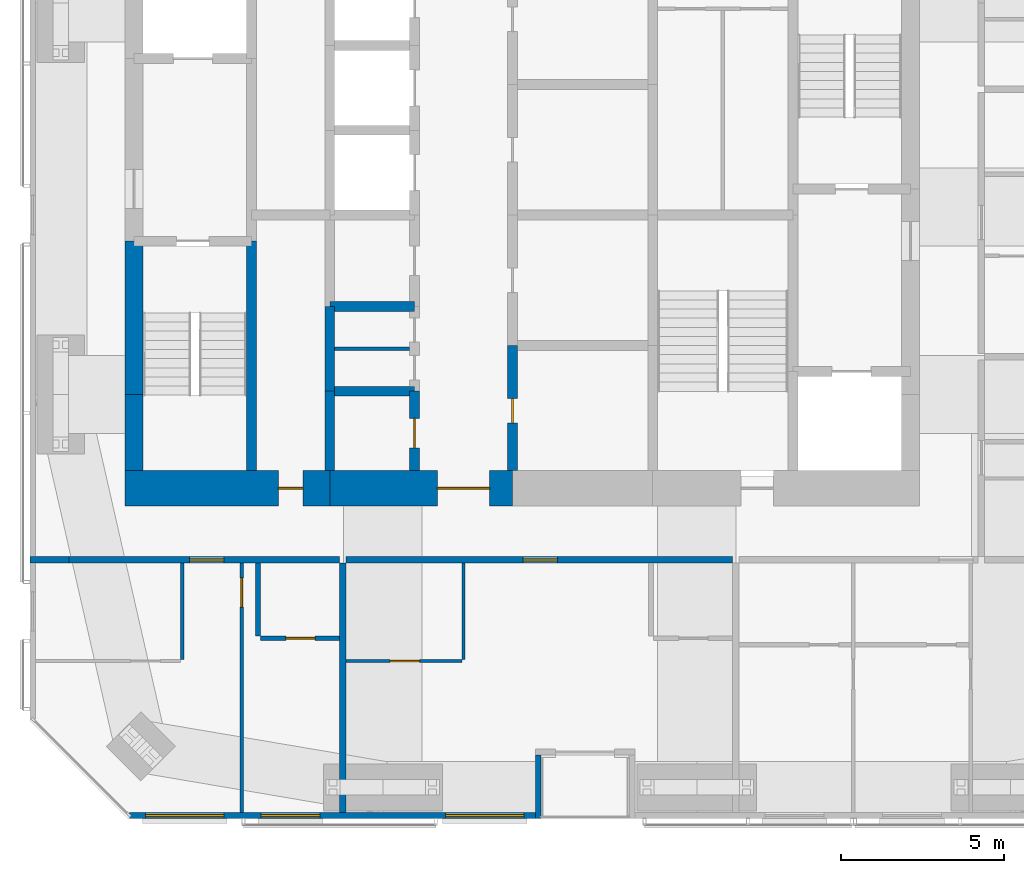
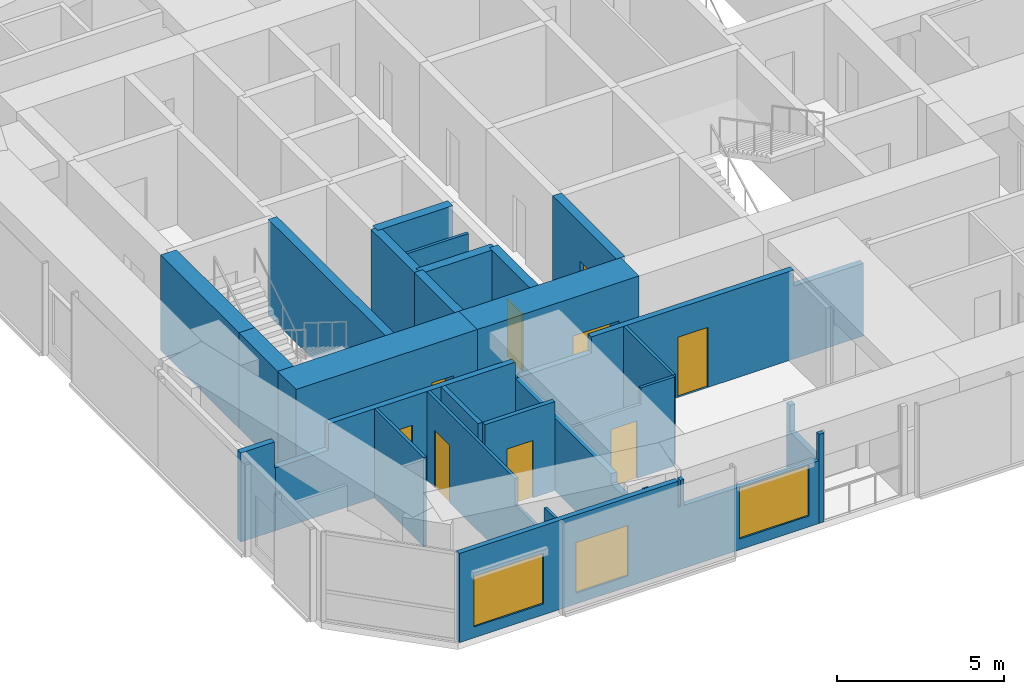
# One storey, part 13 of 19: 24 walls, 9 doors, 3 windows, 12 openings.
"""IFC4 building model written with IfcOpenShell, lengths in metres."""

from ifc_helpers import new_model, si_unit, direction, frame, frame_2d, origin, place, context, subcontext, project, spatial, polyline, rectangle, outline, extrude, material, layer, layer_set, constituent, constituent_set, type_object, element, fill, save


model = new_model("IFC4")

# Units and contexts
model_context = context("Model", 3, precision=1e-05, world=origin(), true_north=direction((0.0, 1.0)))
body_context = subcontext(model_context, "Body", "Model", "MODEL_VIEW")
ifc_project = project(units=[si_unit("LENGTHUNIT", "METRE"), si_unit("AREAUNIT", "SQUARE_METRE"), si_unit("VOLUMEUNIT", "CUBIC_METRE"), si_unit("PLANEANGLEUNIT", "RADIAN"), si_unit("MASSUNIT", "GRAM", prefix="KILO")], contexts=[model_context])

# Site, building, storey
site_placement = place(None, origin())
site = spatial("IfcSite", under=ifc_project, at=site_placement, CompositionType="ELEMENT")
building_placement = place(site_placement, origin())
building = spatial("IfcBuilding", under=site, at=building_placement, Name="Jalousie Tower", CompositionType="ELEMENT")
storey_placement = place(building_placement, frame((0.0, 0.0, 224.949951171875)))
storey = spatial("IfcBuildingStorey", under=building, at=storey_placement, Name="L61", CompositionType="ELEMENT", Elevation=224.949951171875)

# Wall, opening, door
ifc_material_1 = material(Name="Concrete block ASTM C90", Category="concrete")
ifc_constituent_1 = constituent(ifc_material_1, Name="Body")
ifc_material_2 = material(Name="Render")
ifc_constituent_2 = constituent(ifc_material_2, Name="Finish")
ifc_constituent_set_1 = constituent_set(constituents=[ifc_constituent_1, ifc_constituent_2])
wall_type_1 = type_object("IfcWallType", Name="BATHROOM WALL 150", PredefinedType="PLUMBINGWALL", material=ifc_constituent_set_1)
wall_1_placement = place(storey_placement, frame((23.875, 5.52490234375, 0.0), z_axis=(0.0, 0.0, 1.0), x_axis=(1.0, 0.0, 0.0)))
wall_1 = element("IfcWall", 1, at=wall_1_placement, inside=storey, type_object=wall_type_1, Name="Bathroom Wall 150 L61", PredefinedType="PLUMBINGWALL", context=body_context, shape_type="SweptSolid", body=[
    extrude(rectangle(XDim=2.425048828125, YDim=0.14990234375, at=frame_2d((1.21240234375, 0.0))), origin(), (0.0, 0.0, 1.0), 3.260009765625),
])
opening_1_placement = place(wall_1_placement, frame((0.77490234375, 0.0, 0.0)))
opening_1 = element("IfcOpeningElement", 2, at=opening_1_placement, cuts=wall_1, Name="Opening D3", PredefinedType="OPENING", context=body_context, shape_type="SweptSolid", body=[
    extrude(rectangle(XDim=0.89990234375, YDim=2.10009765625, at=frame_2d((0.449951171875, 1.050048828125))), frame((0.0, 0.0849609375, 0.0), z_axis=(0.0, -1.0, 0.0), x_axis=(1.0, 0.0, 0.0)), (0.0, 0.0, 1.0), 0.169921875),
])
ifc_material_3 = material(Name="Timber door", Category="wood")
door_type_1 = type_object("IfcDoorType", Name="BATHROOM DOOR 900", OperationType="SINGLE_SWING_LEFT", PredefinedType="DOOR", material=ifc_material_3)
door_1_placement = place(opening_1_placement, origin())
door_1 = element("IfcDoor", 3, at=door_1_placement, inside=storey, type_object=door_type_1, Name="Apartment 6101 bathroom door", OperationType="SINGLE_SWING_RIGHT", OverallHeight=2.10009765625, OverallWidth=0.89990234375, PredefinedType="DOOR", context=body_context, shape_type="SweptSolid", body=[
    extrude(rectangle(XDim=0.89990234375, YDim=2.10009765625, at=frame_2d((0.449951171875, 1.050048828125))), frame((0.0, 0.02490234375, 0.0), z_axis=(0.0, -1.0, 0.0), x_axis=(1.0, 0.0, 0.0)), (0.0, 0.0, 1.0), 0.050048828125),
])
fill(opening_1, door_1)

# Wall
wall_2_placement = place(storey_placement, frame((23.800048828125, 5.60009765625, 0.0), z_axis=(0.0, 0.0, 1.0), x_axis=(0.0, 1.0, 0.0)))
element("IfcWall", 4, at=wall_2_placement, inside=storey, type_object=wall_type_1, Name="Bathroom Wall 150 L61", PredefinedType="PLUMBINGWALL", context=body_context, shape_type="SweptSolid", body=[
    extrude(rectangle(XDim=2.224853515625, YDim=0.14990234375, at=frame_2d((1.1123046875, 0.0))), origin(), (0.0, 0.0, 1.0), 3.260009765625),
])

# Wall, opening, door
ifc_material_4 = material(Name="Concrete f'c 120 MPa", Category="concrete")
ifc_layer_1 = layer(ifc_material_4, 1.10009765625)
ifc_layer_set_1 = layer_set([ifc_layer_1], Name="Concrete f'c 120 MPa")
wall_type_2 = type_object("IfcWallType", Name="CORE WALL 1100", PredefinedType="SHEAR", material=ifc_layer_set_1)
wall_3_placement = place(storey_placement, frame((19.72509765625, 10.125, 0.0), z_axis=(0.0, 0.0, 1.0), x_axis=(1.0, 0.0, 0.0)))
wall_3 = element("IfcWall", 5, at=wall_3_placement, inside=storey, type_object=wall_type_2, Name="Core wall SA L61", PredefinedType="SHEAR", context=body_context, shape_type="SweptSolid", body=[
    extrude(rectangle(XDim=6.27490234375, YDim=1.10009765625, at=frame_2d((3.137451171875, 0.0))), origin(), (0.0, 0.0, 1.0), 3.5),
])
opening_2_placement = place(wall_3_placement, frame((4.699951171875, 0.0, 0.0)))
opening_2 = element("IfcOpeningElement", 6, at=opening_2_placement, cuts=wall_3, Name="Opening D16", PredefinedType="OPENING", context=body_context, shape_type="SweptSolid", body=[
    extrude(rectangle(XDim=0.75, YDim=2.10009765625, at=frame_2d((0.375, 1.050048828125))), frame((0.0, 0.56005859375, 0.0), z_axis=(0.0, -1.0, 0.0), x_axis=(1.0, 0.0, 0.0)), (0.0, 0.0, 1.0), 1.1201171875),
])
ifc_material_5 = material(Name="Steel fire door", Category="steel")
door_type_2 = type_object("IfcDoorType", Name="RISER DOOR 750", OperationType="SINGLE_SWING_LEFT", PredefinedType="DOOR", material=ifc_material_5)
door_2_placement = place(opening_2_placement, origin())
door_2 = element("IfcDoor", 7, at=door_2_placement, inside=storey, type_object=door_type_2, Name="South riser door", OperationType="SINGLE_SWING_RIGHT", OverallHeight=2.10009765625, OverallWidth=0.75, PredefinedType="DOOR", context=body_context, shape_type="SweptSolid", body=[
    extrude(rectangle(XDim=0.75, YDim=2.10009765625, at=frame_2d((0.375, 1.050048828125))), frame((0.0, 0.02490234375, 0.0), z_axis=(0.0, -1.0, 0.0), x_axis=(1.0, 0.0, 0.0)), (0.0, 0.0, 1.0), 0.050048828125),
])
fill(opening_2, door_2)

wall_4_placement = place(storey_placement, frame((26.0, 10.125, 0.0), z_axis=(0.0, 0.0, 1.0), x_axis=(1.0, 0.0, 0.0)))
wall_4 = element("IfcWall", 8, at=wall_4_placement, inside=storey, type_object=wall_type_2, Name="Core wall SB L61", PredefinedType="SHEAR", context=body_context, shape_type="SweptSolid", body=[
    extrude(rectangle(XDim=5.60009765625, YDim=1.10009765625, at=frame_2d((2.800048828125, 0.0))), origin(), (0.0, 0.0, 1.0), 3.5),
])
opening_3_placement = place(wall_4_placement, frame((3.300048828125, 0.0, 0.0)))
opening_3 = element("IfcOpeningElement", 9, at=opening_3_placement, cuts=wall_4, Name="Opening D15", PredefinedType="OPENING", context=body_context, shape_type="SweptSolid", body=[
    extrude(rectangle(XDim=1.60009765625, YDim=2.10009765625, at=frame_2d((0.800048828125, 1.050048828125))), frame((0.0, 0.56005859375, 0.0), z_axis=(0.0, -1.0, 0.0), x_axis=(1.0, 0.0, 0.0)), (0.0, 0.0, 1.0), 1.1201171875),
])
ifc_material_6 = material(Name="Steel fire door", Category="steel")
door_type_3 = type_object("IfcDoorType", Name="LIFT LOBBY DOOR 1600", OperationType="DOUBLE_DOOR_SINGLE_SWING", PredefinedType="DOOR", material=ifc_material_6)
door_3_placement = place(opening_3_placement, origin())
door_3 = element("IfcDoor", 10, at=door_3_placement, inside=storey, type_object=door_type_3, Name="Lift lobby south door", OperationType="DOUBLE_DOOR_SINGLE_SWING", OverallHeight=2.10009765625, OverallWidth=1.60009765625, PredefinedType="DOOR", context=body_context, shape_type="SweptSolid", body=[
    extrude(rectangle(XDim=1.60009765625, YDim=2.10009765625, at=frame_2d((0.800048828125, 1.050048828125))), frame((0.0, 0.02490234375, 0.0), z_axis=(0.0, -1.0, 0.0), x_axis=(1.0, 0.0, 0.0)), (0.0, 0.0, 1.0), 0.050048828125),
])
fill(opening_3, door_3)

# Walls
ifc_material_7 = material(Name="Concrete f'c 120 MPa", Category="concrete")
ifc_layer_2 = layer(ifc_material_7, 0.300048828125)
ifc_layer_set_2 = layer_set([ifc_layer_2], Name="Concrete f'c 120 MPa")
wall_type_3 = type_object("IfcWallType", Name="CORE WALL 300", PredefinedType="SHEAR", material=ifc_layer_set_2)
wall_5_placement = place(storey_placement, frame((23.60009765625, 10.675048828125, 0.0), z_axis=(0.0, 0.0, 1.0), x_axis=(0.0, 1.0, 0.0)))
element("IfcWall", 11, at=wall_5_placement, inside=storey, type_object=wall_type_3, Name="Core wall X23.6A L61", PredefinedType="SHEAR", context=body_context, shape_type="SweptSolid", body=[
    extrude(rectangle(XDim=7.02490234375, YDim=0.300048828125, at=frame_2d((3.512451171875, 0.0))), origin(), (0.0, 0.0, 1.0), 3.5),
])
wall_6_placement = place(storey_placement, frame((26.0, 10.675048828125, 0.0), z_axis=(0.0, 0.0, 1.0), x_axis=(0.0, 1.0, 0.0)))
element("IfcWall", 12, at=wall_6_placement, inside=storey, type_object=wall_type_3, Name="Core wall X26A L61", PredefinedType="SHEAR", context=body_context, shape_type="SweptSolid", body=[
    extrude(rectangle(XDim=2.425048828125, YDim=0.300048828125, at=frame_2d((1.21240234375, 0.0))), origin(), (0.0, 0.0, 1.0), 3.5),
])
wall_7_placement = place(storey_placement, frame((26.0, 13.10009765625, 0.0), z_axis=(0.0, 0.0, 1.0), x_axis=(0.0, 1.0, 0.0)))
element("IfcWall", 13, at=wall_7_placement, inside=storey, type_object=wall_type_3, Name="Core wall X26B L61", PredefinedType="SHEAR", context=body_context, shape_type="SweptSolid", body=[
    extrude(rectangle(XDim=2.599853515625, YDim=0.300048828125, at=frame_2d((1.2998046875, 0.0))), origin(), (0.0, 0.0, 1.0), 3.5),
])

# Wall, opening, door
wall_8_placement = place(storey_placement, frame((28.60009765625, 10.675048828125, 0.0), z_axis=(0.0, 0.0, 1.0), x_axis=(0.0, 1.0, 0.0)))
wall_8 = element("IfcWall", 14, at=wall_8_placement, inside=storey, type_object=wall_type_3, Name="Core wall X28.6A L61", PredefinedType="SHEAR", context=body_context, shape_type="SweptSolid", body=[
    extrude(rectangle(XDim=2.425048828125, YDim=0.300048828125, at=frame_2d((1.21240234375, 0.0))), origin(), (0.0, 0.0, 1.0), 3.5),
])
opening_4_placement = place(wall_8_placement, frame((0.6875, 0.0, 0.0)))
opening_4 = element("IfcOpeningElement", 15, at=opening_4_placement, cuts=wall_8, Name="Opening D24", PredefinedType="OPENING", context=body_context, shape_type="SweptSolid", body=[
    extrude(rectangle(XDim=0.89990234375, YDim=2.10009765625, at=frame_2d((0.449951171875, 1.050048828125))), frame((0.0, 0.159912109375, 0.0), z_axis=(0.0, -1.0, 0.0), x_axis=(1.0, 0.0, 0.0)), (0.0, 0.0, 1.0), 0.320068359375),
])
ifc_material_8 = material(Name="Steel fire door", Category="steel")
door_type_4 = type_object("IfcDoorType", Name="CORE ROOM DOOR 900", OperationType="SINGLE_SWING_LEFT", PredefinedType="DOOR", material=ifc_material_8)
door_4_placement = place(opening_4_placement, origin())
door_4 = element("IfcDoor", 16, at=door_4_placement, inside=storey, type_object=door_type_4, Name="Housekeeping store door", OperationType="SINGLE_SWING_RIGHT", OverallHeight=2.10009765625, OverallWidth=0.89990234375, PredefinedType="DOOR", context=body_context, shape_type="SweptSolid", body=[
    extrude(rectangle(XDim=0.89990234375, YDim=2.10009765625, at=frame_2d((0.449951171875, 1.050048828125))), frame((0.0, 0.02490234375, 0.0), z_axis=(0.0, -1.0, 0.0), x_axis=(1.0, 0.0, 0.0)), (0.0, 0.0, 1.0), 0.050048828125),
])
fill(opening_4, door_4)

wall_9_placement = place(storey_placement, frame((31.60009765625, 10.675048828125, 0.0), z_axis=(0.0, 0.0, 1.0), x_axis=(0.0, 1.0, 0.0)))
wall_9 = element("IfcWall", 17, at=wall_9_placement, inside=storey, type_object=wall_type_3, Name="Core wall X31.6A L61", PredefinedType="SHEAR", context=body_context, shape_type="SweptSolid", body=[
    extrude(rectangle(XDim=3.824951171875, YDim=0.300048828125, at=frame_2d((1.91259765625, 0.0))), origin(), (0.0, 0.0, 1.0), 3.5),
])
opening_5_placement = place(wall_9_placement, frame((1.449951171875, 0.0, 0.0)))
opening_5 = element("IfcOpeningElement", 18, at=opening_5_placement, cuts=wall_9, Name="Opening D16", PredefinedType="OPENING", context=body_context, shape_type="SweptSolid", body=[
    extrude(rectangle(XDim=0.75, YDim=2.10009765625, at=frame_2d((0.375, 1.050048828125))), frame((0.0, 0.159912109375, 0.0), z_axis=(0.0, -1.0, 0.0), x_axis=(1.0, 0.0, 0.0)), (0.0, 0.0, 1.0), 0.320068359375),
])
door_5_placement = place(opening_5_placement, frame((0.75, 0.0, 0.0), z_axis=(0.0, 0.0, 1.0), x_axis=(-1.0, 0.0, 0.0)))
door_5 = element("IfcDoor", 19, at=door_5_placement, inside=storey, type_object=door_type_2, Name="Refuse Room door", OperationType="SINGLE_SWING_RIGHT", OverallHeight=2.10009765625, OverallWidth=0.75, PredefinedType="DOOR", context=body_context, shape_type="SweptSolid", body=[
    extrude(rectangle(XDim=0.75, YDim=2.10009765625, at=frame_2d((0.375, 1.050048828125))), frame((0.0, 0.02490234375, 0.0), z_axis=(0.0, -1.0, 0.0), x_axis=(1.0, 0.0, 0.0)), (0.0, 0.0, 1.0), 0.050048828125),
])
fill(opening_5, door_5)

# Walls
for number, where, z_axis, x_axis, name in (
    (20, (26.0, 13.10009765625, 0.0), (0.0, 0.0, 1.0), (1.0, 0.0, 0.0), "Core wall Y26-13.1 L61"),
    (21, (26.0, 15.699951171875, 0.0), (0.0, 0.0, 1.0), (1.0, 0.0, 0.0), "Core wall Y26-15.7 L61"),
):
    element("IfcWall", number, at=place(storey_placement, frame(where, z_axis=z_axis, x_axis=x_axis)), inside=storey, type_object=wall_type_3, Name=name, PredefinedType="SHEAR", context=body_context, shape_type="SweptSolid", body=[
        extrude(rectangle(XDim=2.60009765625, YDim=0.300048828125, at=frame_2d((1.300048828125, 0.0))), origin(), (0.0, 0.0, 1.0), 3.5),
    ])
ifc_material_9 = material(Name="Concrete f'c 120 MPa", Category="concrete")
ifc_layer_3 = layer(ifc_material_9, 0.550048828125)
ifc_layer_set_3 = layer_set([ifc_layer_3], Name="Concrete f'c 120 MPa")
wall_type_4 = type_object("IfcWallType", Name="CORE WALL 550", PredefinedType="SHEAR", material=ifc_layer_set_3)
wall_10_placement = place(storey_placement, frame((20.0, 17.699951171875, 0.0), z_axis=(0.0, 0.0, 1.0), x_axis=(0.0, -1.0, 0.0)))
element("IfcWall", 22, at=wall_10_placement, inside=storey, type_object=wall_type_4, Name="Core wall WC L61", PredefinedType="SHEAR", context=body_context, shape_type="SweptSolid", body=[
    extrude(rectangle(XDim=4.699951171875, YDim=0.550048828125, at=frame_2d((2.35009765625, 0.0))), origin(), (0.0, 0.0, 1.0), 3.5),
])
wall_11_placement = place(storey_placement, frame((20.0, 13.0, 0.0), z_axis=(0.0, 0.0, 1.0), x_axis=(0.0, -1.0, 0.0)))
element("IfcWall", 23, at=wall_11_placement, inside=storey, type_object=wall_type_4, Name="Core wall WD L61", PredefinedType="SHEAR", context=body_context, shape_type="SweptSolid", body=[
    extrude(rectangle(XDim=2.324951171875, YDim=0.550048828125, at=frame_2d((1.16259765625, 0.0))), origin(), (0.0, 0.0, 1.0), 3.5),
])

# Wall, opening, door
ifc_material_10 = material(Name="Concrete block ASTM C90", Category="concrete")
ifc_constituent_3 = constituent(ifc_material_10, Name="Body")
ifc_material_11 = material(Name="Render")
ifc_constituent_4 = constituent(ifc_material_11, Name="Finish")
ifc_constituent_set_2 = constituent_set(constituents=[ifc_constituent_3, ifc_constituent_4])
wall_type_5 = type_object("IfcWallType", Name="CORRIDOR WALL 200", PredefinedType="PARTITIONING", material=ifc_constituent_set_2)
wall_12_placement = place(storey_placement, frame((18.0, 7.925048828125, 0.0), z_axis=(0.0, 0.0, 1.0), x_axis=(1.0, 0.0, 0.0)))
wall_12 = element("IfcWall", 24, at=wall_12_placement, inside=storey, type_object=wall_type_5, Name="Corridor Wall 200 L61", PredefinedType="PARTITIONING", context=body_context, shape_type="SweptSolid", body=[
    extrude(outline(polyline([(0.0, 0.0), (8.300048828125, 0.0), (8.300048828125, 3.260009765625), (1.838623046875, 3.260009765625), (1.838623046875, 2.300048828125), (0.0, 2.300048828125), (0.0, 3.260009765625), (0.0, 0.0)])), frame((0.0, 0.10009765625, 0.0), z_axis=(0.0, -1.0, 0.0), x_axis=(1.0, 0.0, 0.0)), (0.0, 0.0, 1.0), 0.199951171875),
])
opening_6_placement = place(wall_12_placement, frame((3.699951171875, 0.0, 0.0)))
opening_6 = element("IfcOpeningElement", 25, at=opening_6_placement, cuts=wall_12, Name="Opening D1", PredefinedType="OPENING", context=body_context, shape_type="SweptSolid", body=[
    extrude(rectangle(XDim=1.050048828125, YDim=2.199951171875, at=frame_2d((0.52490234375, 1.10009765625))), frame((0.0, 0.10986328125, 0.0), z_axis=(0.0, -1.0, 0.0), x_axis=(1.0, 0.0, 0.0)), (0.0, 0.0, 1.0), 0.219970703125),
])
ifc_material_12 = material(Name="Timber fire door", Category="wood")
door_type_5 = type_object("IfcDoorType", Name="APARTMENT ENTRANCE DOOR 1050", OperationType="SINGLE_SWING_LEFT", PredefinedType="DOOR", material=ifc_material_12)
door_6_placement = place(opening_6_placement, frame((1.050048828125, 0.0, 0.0), z_axis=(0.0, 0.0, 1.0), x_axis=(-1.0, 0.0, 0.0)))
door_6 = element("IfcDoor", 26, at=door_6_placement, inside=storey, type_object=door_type_5, Name="Apartment 6101 entrance", OperationType="SINGLE_SWING_RIGHT", OverallHeight=2.199951171875, OverallWidth=1.050048828125, PredefinedType="DOOR", context=body_context, shape_type="SweptSolid", body=[
    extrude(rectangle(XDim=1.050048828125, YDim=2.199951171875, at=frame_2d((0.52490234375, 1.10009765625))), frame((0.0, 0.02490234375, 0.0), z_axis=(0.0, -1.0, 0.0), x_axis=(1.0, 0.0, 0.0)), (0.0, 0.0, 1.0), 0.050048828125),
])
fill(opening_6, door_6)

wall_13_placement = place(storey_placement, frame((26.5, 7.925048828125, 0.0), z_axis=(0.0, 0.0, 1.0), x_axis=(1.0, 0.0, 0.0)))
wall_13 = element("IfcWall", 27, at=wall_13_placement, inside=storey, type_object=wall_type_5, Name="Corridor Wall 200 L61", PredefinedType="PARTITIONING", context=body_context, shape_type="SweptSolid", body=[
    extrude(outline(polyline([(0.0, 0.0), (11.85009765625, 0.0), (11.85009765625, 3.260009765625), (11.85009765625, 2.66015625), (9.43994140625, 2.66015625), (9.43994140625, 3.260009765625), (2.43505859375, 3.260009765625), (2.43505859375, 2.66015625), (0.0, 2.66015625), (0.0, 3.260009765625), (0.0, 0.0)])), frame((0.0, 0.10009765625, 0.0), z_axis=(0.0, -1.0, 0.0), x_axis=(1.0, 0.0, 0.0)), (0.0, 0.0, 1.0), 0.199951171875),
])
opening_7_placement = place(wall_13_placement, frame((5.425048828125, 0.0, 0.0)))
opening_7 = element("IfcOpeningElement", 28, at=opening_7_placement, cuts=wall_13, Name="Opening D1", PredefinedType="OPENING", context=body_context, shape_type="SweptSolid", body=[
    extrude(rectangle(XDim=1.050048828125, YDim=2.199951171875, at=frame_2d((0.52490234375, 1.10009765625))), frame((0.0, 0.10986328125, 0.0), z_axis=(0.0, -1.0, 0.0), x_axis=(1.0, 0.0, 0.0)), (0.0, 0.0, 1.0), 0.219970703125),
])
door_7_placement = place(opening_7_placement, frame((1.050048828125, 0.0, 0.0), z_axis=(0.0, 0.0, 1.0), x_axis=(-1.0, 0.0, 0.0)))
door_7 = element("IfcDoor", 29, at=door_7_placement, inside=storey, type_object=door_type_5, Name="Apartment 6102 entrance", OperationType="SINGLE_SWING_RIGHT", OverallHeight=2.199951171875, OverallWidth=1.050048828125, PredefinedType="DOOR", context=body_context, shape_type="SweptSolid", body=[
    extrude(rectangle(XDim=1.050048828125, YDim=2.199951171875, at=frame_2d((0.52490234375, 1.10009765625))), frame((0.0, 0.02490234375, 0.0), z_axis=(0.0, -1.0, 0.0), x_axis=(1.0, 0.0, 0.0)), (0.0, 0.0, 1.0), 0.050048828125),
])
fill(opening_7, door_7)

# Wall, openings, windows
ifc_material_13 = material(Name="Concrete f'c 40 MPa", Category="concrete")
ifc_constituent_5 = constituent(ifc_material_13, Name="Body")
ifc_material_14 = material(Name="Render, pastel sky blue")
ifc_constituent_6 = constituent(ifc_material_14, Name="Finish")
ifc_constituent_set_3 = constituent_set(constituents=[ifc_constituent_5, ifc_constituent_6])
wall_type_6 = type_object("IfcWallType", Name="EXTERNAL WALL 175 SKY BLUE RENDER", PredefinedType="SOLIDWALL", material=ifc_constituent_set_3)
wall_14_placement = place(storey_placement, frame((19.851318359375, 0.08740234375, 0.0), z_axis=(0.0, 0.0, 1.0), x_axis=(1.0, 0.0, 0.0)))
wall_14 = element("IfcWall", 30, at=wall_14_placement, inside=storey, type_object=wall_type_6, Name="External Wall 175 Sky Blue Render L61", PredefinedType="SOLIDWALL", context=body_context, shape_type="SweptSolid", body=[
    extrude(outline(polyline([(0.0, 0.0), (12.44873046875, 0.0), (12.44873046875, 2.300048828125), (7.773681640625, 2.300048828125), (7.773681640625, 3.260009765625), (7.642333984375, 3.260009765625), (7.642333984375, 2.300048828125), (7.558837890625, 2.300048828125), (7.558837890625, 3.260009765625), (0.0, 3.260009765625), (0.0, 0.0)])), frame((0.0, 0.08740234375, 0.0), z_axis=(0.0, -1.0, 0.0), x_axis=(1.0, 0.0, 0.0)), (0.0, 0.0, 1.0), 0.175048828125),
])
opening_8_placement = place(wall_14_placement, frame((0.49951171875, 0.0, 0.39990234375)))
opening_8 = element("IfcOpeningElement", 31, at=opening_8_placement, cuts=wall_14, Name="Opening W-LIV185", PredefinedType="OPENING", context=body_context, shape_type="SweptSolid", body=[
    extrude(rectangle(XDim=2.39990234375, YDim=1.85009765625, at=frame_2d((1.199951171875, 0.925048828125))), frame((0.0, 0.097412109375, 0.0), z_axis=(0.0, -1.0, 0.0), x_axis=(1.0, 0.0, 0.0)), (0.0, 0.0, 1.0), 0.195068359375),
])
opening_9_placement = place(wall_14_placement, frame((4.0400390625, 0.0, 0.39990234375)))
opening_9 = element("IfcOpeningElement", 32, at=opening_9_placement, cuts=wall_14, Name="Opening W-BED185", PredefinedType="OPENING", context=body_context, shape_type="SweptSolid", body=[
    extrude(rectangle(XDim=1.800048828125, YDim=1.85009765625, at=frame_2d((0.89990234375, 0.925048828125))), frame((0.0, 0.097412109375, 0.0), z_axis=(0.0, -1.0, 0.0), x_axis=(1.0, 0.0, 0.0)), (0.0, 0.0, 1.0), 0.195068359375),
])
opening_10_placement = place(wall_14_placement, frame((9.69873046875, 0.0, 0.39990234375)))
opening_10 = element("IfcOpeningElement", 33, at=opening_10_placement, cuts=wall_14, Name="Opening W-LIV185", PredefinedType="OPENING", context=body_context, shape_type="SweptSolid", body=[
    extrude(rectangle(XDim=2.39990234375, YDim=1.85009765625, at=frame_2d((1.199951171875, 0.925048828125))), frame((0.0, 0.097412109375, 0.0), z_axis=(0.0, -1.0, 0.0), x_axis=(1.0, 0.0, 0.0)), (0.0, 0.0, 1.0), 0.195068359375),
])
ifc_material_15 = material(Name="Aluminium frame, impact-rated glazing", Category="aluminium")
window_type_1 = type_object("IfcWindowType", Name="WINDOW BED 1800x1850", PartitioningType="SINGLE_PANEL", PredefinedType="WINDOW", material=ifc_material_15)
window_1_placement = place(opening_9_placement, origin())
window_1 = element("IfcWindow", 34, at=window_1_placement, inside=storey, type_object=window_type_1, Name="Apartment 6101 study window", OverallHeight=1.85009765625, OverallWidth=1.800048828125, PartitioningType="SINGLE_PANEL", PredefinedType="WINDOW", context=body_context, shape_type="SweptSolid", body=[
    extrude(rectangle(XDim=1.800048828125, YDim=1.85009765625, at=frame_2d((0.89990234375, 0.925048828125))), frame((0.0, 0.030029296875, 0.0), z_axis=(0.0, -1.0, 0.0), x_axis=(1.0, 0.0, 0.0)), (0.0, 0.0, 1.0), 0.06005859375),
])
fill(opening_9, window_1)
ifc_material_16 = material(Name="Aluminium frame, impact-rated glazing", Category="aluminium")
window_type_2 = type_object("IfcWindowType", Name="WINDOW LIV 2400x1850", PartitioningType="DOUBLE_PANEL_VERTICAL", PredefinedType="WINDOW", material=ifc_material_16)
window_2_placement = place(opening_8_placement, origin())
window_2 = element("IfcWindow", 35, at=window_2_placement, inside=storey, type_object=window_type_2, Name="Apartment 6101 studio living and sleeping room window", OverallHeight=1.85009765625, OverallWidth=2.39990234375, PartitioningType="SINGLE_PANEL", PredefinedType="WINDOW", context=body_context, shape_type="SweptSolid", body=[
    extrude(rectangle(XDim=2.39990234375, YDim=1.85009765625, at=frame_2d((1.199951171875, 0.925048828125))), frame((0.0, 0.030029296875, 0.0), z_axis=(0.0, -1.0, 0.0), x_axis=(1.0, 0.0, 0.0)), (0.0, 0.0, 1.0), 0.06005859375),
])
fill(opening_8, window_2)
window_3_placement = place(opening_10_placement, origin())
window_3 = element("IfcWindow", 36, at=window_3_placement, inside=storey, type_object=window_type_2, Name="Apartment 6102 studio living and sleeping room window", OverallHeight=1.85009765625, OverallWidth=2.39990234375, PartitioningType="SINGLE_PANEL", PredefinedType="WINDOW", context=body_context, shape_type="SweptSolid", body=[
    extrude(rectangle(XDim=2.39990234375, YDim=1.85009765625, at=frame_2d((1.199951171875, 0.925048828125))), frame((0.0, 0.030029296875, 0.0), z_axis=(0.0, -1.0, 0.0), x_axis=(1.0, 0.0, 0.0)), (0.0, 0.0, 1.0), 0.06005859375),
])
fill(opening_10, window_3)

# Wall
wall_15_placement = place(storey_placement, frame((32.387451171875, 0.0, 0.0), z_axis=(0.0, 0.0, 1.0), x_axis=(0.0, 1.0, 0.0)))
element("IfcWall", 37, at=wall_15_placement, inside=storey, type_object=wall_type_6, Name="External Wall 175 Sky Blue Render L61", PredefinedType="SOLIDWALL", context=body_context, shape_type="SweptSolid", body=[
    extrude(outline(polyline([(0.0, 0.0), (1.949951171875, 0.0), (1.949951171875, 3.260009765625), (1.75, 3.260009765625), (1.75, 2.300048828125), (0.14990234375, 2.300048828125), (0.14990234375, 3.260009765625), (0.0, 3.260009765625), (0.0, 0.0)])), frame((0.0, 0.08740234375, 0.0), z_axis=(0.0, -1.0, 0.0), x_axis=(1.0, 0.0, 0.0)), (0.0, 0.0, 1.0), 0.175048828125),
])

# Wall, opening, door
ifc_material_17 = material(Name="Gypsum board", Category="gypsum")
ifc_constituent_7 = constituent(ifc_material_17, Name="Body")
ifc_material_18 = material(Name="Light-gauge steel studs ASTM A653 SS Grade 33", Category="steel")
ifc_constituent_8 = constituent(ifc_material_18, Name="Framing")
ifc_constituent_set_4 = constituent_set(constituents=[ifc_constituent_7, ifc_constituent_8])
wall_type_7 = type_object("IfcWallType", Name="PARTITION 100", PredefinedType="PARTITIONING", material=ifc_constituent_set_4)
wall_16_placement = place(storey_placement, frame((23.300048828125, 0.175048828125, 0.0), z_axis=(0.0, 0.0, 1.0), x_axis=(0.0, 1.0, 0.0)))
wall_16 = element("IfcWall", 38, at=wall_16_placement, inside=storey, type_object=wall_type_7, Name="Partition 100 L61", PredefinedType="PARTITIONING", context=body_context, shape_type="SweptSolid", body=[
    extrude(outline(polyline([(0.0, 0.0), (7.64990234375, 0.0), (7.64990234375, 3.260009765625), (2.380126953125, 3.260009765625), (2.380126953125, 2.300048828125), (0.6357421875, 2.300048828125), (0.6357421875, 3.260009765625), (0.0, 3.260009765625), (0.0, 0.0)])), frame((0.0, 0.050048828125, 0.0), z_axis=(0.0, -1.0, 0.0), x_axis=(1.0, 0.0, 0.0)), (0.0, 0.0, 1.0), 0.10009765625),
])
opening_11_placement = place(wall_16_placement, frame((6.300048828125, 0.0, 0.0)))
opening_11 = element("IfcOpeningElement", 39, at=opening_11_placement, cuts=wall_16, Name="Opening D2", PredefinedType="OPENING", context=body_context, shape_type="SweptSolid", body=[
    extrude(rectangle(XDim=0.89990234375, YDim=2.10009765625, at=frame_2d((0.449951171875, 1.050048828125))), frame((0.0, 0.06005859375, 0.0), z_axis=(0.0, -1.0, 0.0), x_axis=(1.0, 0.0, 0.0)), (0.0, 0.0, 1.0), 0.1201171875),
])
ifc_material_19 = material(Name="Timber door", Category="wood")
door_type_6 = type_object("IfcDoorType", Name="BEDROOM DOOR 900", OperationType="SINGLE_SWING_LEFT", PredefinedType="DOOR", material=ifc_material_19)
door_8_placement = place(opening_11_placement, origin())
door_8 = element("IfcDoor", 40, at=door_8_placement, inside=storey, type_object=door_type_6, Name="Apartment 6101 study door", OperationType="SINGLE_SWING_RIGHT", OverallHeight=2.10009765625, OverallWidth=0.89990234375, PredefinedType="DOOR", context=body_context, shape_type="SweptSolid", body=[
    extrude(rectangle(XDim=0.89990234375, YDim=2.10009765625, at=frame_2d((0.449951171875, 1.050048828125))), frame((0.0, 0.02490234375, 0.0), z_axis=(0.0, -1.0, 0.0), x_axis=(1.0, 0.0, 0.0)), (0.0, 0.0, 1.0), 0.050048828125),
])
fill(opening_11, door_8)

# Wall
wall_17_placement = place(storey_placement, frame((21.47509765625, 4.875, 0.0), z_axis=(0.0, 0.0, 1.0), x_axis=(0.0, 1.0, 0.0)))
element("IfcWall", 41, at=wall_17_placement, inside=storey, type_object=wall_type_7, Name="Partition 100 L61", PredefinedType="PARTITIONING", context=body_context, shape_type="SweptSolid", body=[
    extrude(rectangle(XDim=2.949951171875, YDim=0.10009765625, at=frame_2d((1.47509765625, 0.0))), origin(), (0.0, 0.0, 1.0), 3.260009765625),
])

# Wall, opening, door
wall_18_placement = place(storey_placement, frame((26.5, 4.824951171875, 0.0), z_axis=(0.0, 0.0, 1.0), x_axis=(1.0, 0.0, 0.0)))
wall_18 = element("IfcWall", 42, at=wall_18_placement, inside=storey, type_object=wall_type_7, Name="Partition 100 L61", PredefinedType="PARTITIONING", context=body_context, shape_type="SweptSolid", body=[
    extrude(outline(polyline([(0.0, 0.0), (3.550048828125, 0.0), (3.550048828125, 3.260009765625), (2.385009765625, 3.260009765625), (2.385009765625, 2.66015625), (0.0, 2.66015625), (0.0, 3.260009765625), (0.0, 0.0)])), frame((0.0, 0.050048828125, 0.0), z_axis=(0.0, -1.0, 0.0), x_axis=(1.0, 0.0, 0.0)), (0.0, 0.0, 1.0), 0.10009765625),
])
opening_12_placement = place(wall_18_placement, frame((1.35009765625, 0.0, 0.0)))
opening_12 = element("IfcOpeningElement", 43, at=opening_12_placement, cuts=wall_18, Name="Opening D7", PredefinedType="OPENING", context=body_context, shape_type="SweptSolid", body=[
    extrude(rectangle(XDim=0.89990234375, YDim=2.10009765625, at=frame_2d((0.449951171875, 1.050048828125))), frame((0.0, 0.06005859375, 0.0), z_axis=(0.0, -1.0, 0.0), x_axis=(1.0, 0.0, 0.0)), (0.0, 0.0, 1.0), 0.1201171875),
])
ifc_material_20 = material(Name="Timber door", Category="wood")
door_type_7 = type_object("IfcDoorType", Name="INTERNAL DOOR 900", OperationType="SINGLE_SWING_LEFT", PredefinedType="DOOR", material=ifc_material_20)
door_9_placement = place(opening_12_placement, origin())
door_9 = element("IfcDoor", 44, at=door_9_placement, inside=storey, type_object=door_type_7, Name="Apartment 6102 kitchen door", OperationType="SINGLE_SWING_RIGHT", OverallHeight=2.10009765625, OverallWidth=0.89990234375, PredefinedType="DOOR", context=body_context, shape_type="SweptSolid", body=[
    extrude(rectangle(XDim=0.89990234375, YDim=2.10009765625, at=frame_2d((0.449951171875, 1.050048828125))), frame((0.0, 0.02490234375, 0.0), z_axis=(0.0, -1.0, 0.0), x_axis=(1.0, 0.0, 0.0)), (0.0, 0.0, 1.0), 0.050048828125),
])
fill(opening_12, door_9)

# Walls
wall_19_placement = place(storey_placement, frame((30.10009765625, 4.875, 0.0), z_axis=(0.0, 0.0, 1.0), x_axis=(0.0, 1.0, 0.0)))
element("IfcWall", 45, at=wall_19_placement, inside=storey, type_object=wall_type_7, Name="Partition 100 L61", PredefinedType="PARTITIONING", context=body_context, shape_type="SweptSolid", body=[
    extrude(rectangle(XDim=2.949951171875, YDim=0.10009765625, at=frame_2d((1.47509765625, 0.0))), origin(), (0.0, 0.0, 1.0), 3.260009765625),
])
wall_20_placement = place(storey_placement, frame((26.14990234375, 14.39990234375, 0.0), z_axis=(0.0, 0.0, 1.0), x_axis=(1.0, 0.0, 0.0)))
element("IfcWall", 46, at=wall_20_placement, inside=storey, type_object=wall_type_7, Name="Partition 100 L61", PredefinedType="PARTITIONING", context=body_context, shape_type="SweptSolid", body=[
    extrude(rectangle(XDim=2.300048828125, YDim=0.10009765625, at=frame_2d((1.14990234375, 0.0))), origin(), (0.0, 0.0, 1.0), 3.260009765625),
])
ifc_material_21 = material(Name="Concrete block ASTM C90", Category="concrete")
ifc_constituent_9 = constituent(ifc_material_21, Name="Body")
ifc_material_22 = material(Name="Render")
ifc_constituent_10 = constituent(ifc_material_22, Name="Finish")
ifc_constituent_set_5 = constituent_set(constituents=[ifc_constituent_9, ifc_constituent_10])
wall_type_8 = type_object("IfcWallType", Name="PARTY WALL 200", PredefinedType="PARTITIONING", material=ifc_constituent_set_5)
wall_21_placement = place(storey_placement, frame((26.39990234375, 0.175048828125, 0.0), z_axis=(0.0, 0.0, 1.0), x_axis=(0.0, 1.0, 0.0)))
element("IfcWall", 47, at=wall_21_placement, inside=storey, type_object=wall_type_8, Name="Party Wall 200 L61", PredefinedType="PARTITIONING", context=body_context, shape_type="SweptSolid", body=[
    extrude(outline(polyline([(0.0595703125, 3.260009765625), (0.0, 3.260009765625), (0.0, 0.0), (0.52880859375, 0.0), (0.52880859375, 0.309814453125), (1.021240234375, 0.309814453125), (1.021240234375, 0.0), (7.64990234375, 0.0), (7.64990234375, 2.66015625), (1.905517578125, 2.66015625), (1.905517578125, 2.300048828125), (1.021240234375, 2.300048828125), (1.021240234375, 1.990234375), (0.52880859375, 1.990234375), (0.52880859375, 2.300048828125), (0.0595703125, 2.300048828125), (0.0595703125, 3.260009765625)])), frame((0.0, 0.10009765625, 0.0), z_axis=(0.0, -1.0, 0.0), x_axis=(1.0, 0.0, 0.0)), (0.0, 0.0, 1.0), 0.199951171875),
])
wall_22_placement = place(storey_placement, frame((16.800048828125, 7.925048828125, 0.0), z_axis=(0.0, 0.0, 1.0), x_axis=(1.0, 0.0, 0.0)))
element("IfcWall", 48, at=wall_22_placement, inside=storey, type_object=wall_type_8, Name="Party Wall 200 L61", PredefinedType="PARTITIONING", context=body_context, shape_type="SweptSolid", body=[
    extrude(outline(polyline([(0.0, 0.0), (1.199951171875, 0.0), (1.199951171875, 3.260009765625), (1.199951171875, 2.300048828125), (1.172119140625, 2.300048828125), (1.172119140625, 3.260009765625), (0.0, 3.260009765625), (0.0, 0.0)])), frame((0.0, 0.10009765625, 0.0), z_axis=(0.0, -1.0, 0.0), x_axis=(1.0, 0.0, 0.0)), (0.0, 0.0, 1.0), 0.199951171875),
])

save(model, "model.ifc")
